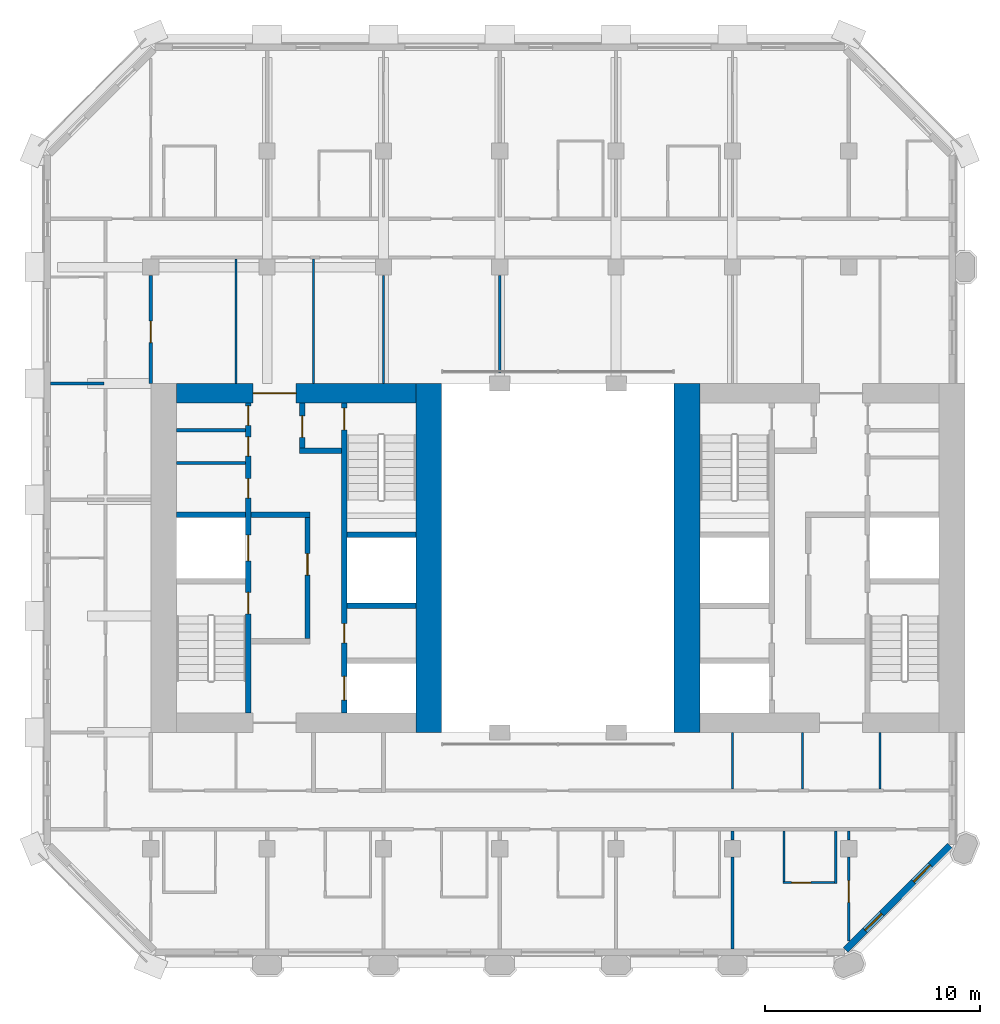
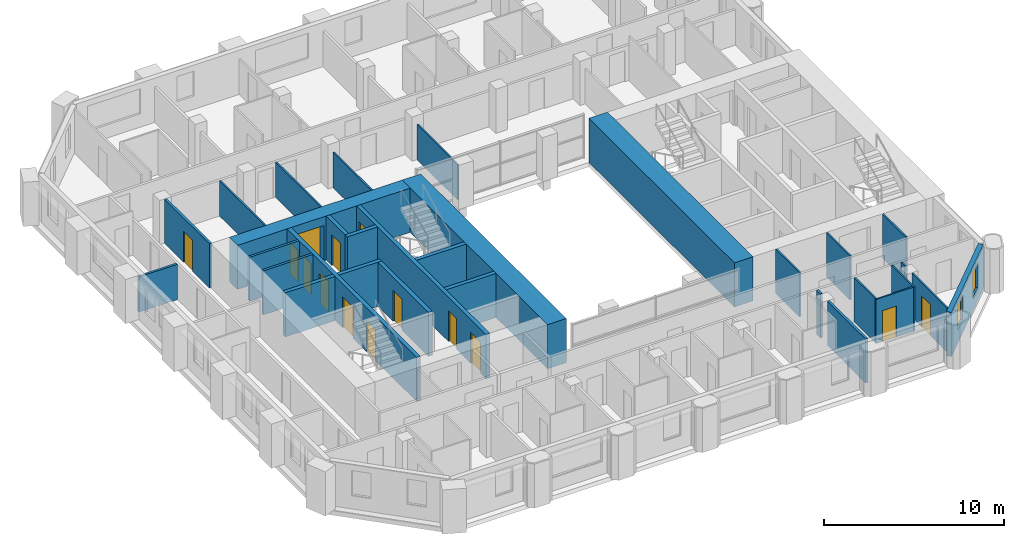
# One storey, part 8 of 13: 31 walls, 14 doors, 2 windows, 16 openings.
"""IFC4 building model written with IfcOpenShell, lengths in metres."""

from ifc_helpers import new_model, si_unit, direction, frame, frame_2d, origin, place, context, subcontext, project, spatial, rectangle, extrude, material, layer, layer_set, type_object, element, fill, save


model = new_model("IFC4")

# Units and contexts
model_context = context("Model", 3, precision=1e-05, world=origin(), true_north=direction((0.0, 1.0)))
body_context = subcontext(model_context, "Body", "Model", "MODEL_VIEW")
ifc_project = project(units=[si_unit("LENGTHUNIT", "METRE"), si_unit("AREAUNIT", "SQUARE_METRE"), si_unit("VOLUMEUNIT", "CUBIC_METRE"), si_unit("PLANEANGLEUNIT", "RADIAN"), si_unit("MASSUNIT", "GRAM", prefix="KILO")], contexts=[model_context])

# Site, building, storey
site_placement = place(None, origin())
site = spatial("IfcSite", under=ifc_project, at=site_placement, CompositionType="ELEMENT")
building_placement = place(site_placement, origin())
building = spatial("IfcBuilding", under=site, at=building_placement, Name="Tabaq Tower and Sports Hall", CompositionType="ELEMENT")
storey_placement = place(building_placement, frame((0.0, 0.0, 210.39990234375)))
storey = spatial("IfcBuildingStorey", under=building, at=storey_placement, Name="L52", CompositionType="ELEMENT", Elevation=210.39990234375)

# Walls
ifc_material_1 = material(Name="Blockwork", Category="masonry")
ifc_layer_1 = layer(ifc_material_1, 0.14990234375)
ifc_layer_set_1 = layer_set([ifc_layer_1], Name="Core room partition 150 Blockwork")
wall_type_1 = type_object("IfcWallType", Name="Core room partition 150 Blockwork", PredefinedType="PARTITIONING", material=ifc_layer_set_1)
for number, where, z_axis, x_axis, name in (
    (1, (6.60009765625, 28.708984375, 0.0), (0.0, 0.0, 1.0), (1.0, 0.0, 0.0), "Core room partition W L52"),
    (2, (6.60009765625, 30.23193359375, 0.0), (0.0, 0.0, 1.0), (1.0, 0.0, 0.0), "Core room partition W L52"),
):
    element("IfcWall", number, at=place(storey_placement, frame(where, z_axis=z_axis, x_axis=x_axis)), inside=storey, type_object=wall_type_1, Name=name, PredefinedType="PARTITIONING", context=body_context, shape_type="SweptSolid", body=[
        extrude(rectangle(XDim=3.199951171875, YDim=0.14990234375, at=frame_2d((1.60009765625, 0.0))), origin(), (0.0, 0.0, 1.0), 3.0),
    ])
ifc_material_2 = material(Name="Concrete C50/60", Category="concrete")
ifc_layer_2 = layer(ifc_material_2, 1.199951171875)
ifc_layer_set_2 = layer_set([ifc_layer_2], Name="Core wall 1200 Concrete C50/60")
wall_type_2 = type_object("IfcWallType", Name="Core wall 1200 Concrete C50/60", PredefinedType="SOLIDWALL", material=ifc_layer_set_2)
for number, where, z_axis, x_axis, name in (
    (3, (18.300048828125, 32.39990234375, 0.0), (0.0, 0.0, 1.0), (0.0, -1.0, 0.0), "Core wall W L52"),
    (4, (30.300048828125, 16.199951171875, 0.0), (0.0, 0.0, 1.0), (0.0, 1.0, 0.0), "Core wall E L52"),
):
    element("IfcWall", number, at=place(storey_placement, frame(where, z_axis=z_axis, x_axis=x_axis)), inside=storey, type_object=wall_type_2, Name=name, PredefinedType="SOLIDWALL", context=body_context, shape_type="SweptSolid", body=[
        extrude(rectangle(XDim=16.199951171875, YDim=1.199951171875, at=frame_2d((8.10009765625, 0.0))), origin(), (0.0, 0.0, 1.0), 3.0),
    ])

# Wall, opening, door
ifc_material_3 = material(Name="Concrete C50/60", Category="concrete")
ifc_layer_3 = layer(ifc_material_3, 0.89990234375)
ifc_layer_set_3 = layer_set([ifc_layer_3], Name="Core wall 900 Concrete C50/60")
wall_type_3 = type_object("IfcWallType", Name="Core wall 900 Concrete C50/60", PredefinedType="SOLIDWALL", material=ifc_layer_set_3)
wall_1_placement = place(storey_placement, frame((6.60009765625, 31.949951171875, 0.0), z_axis=(0.0, 0.0, 1.0), x_axis=(1.0, 0.0, 0.0)))
wall_1 = element("IfcWall", 5, at=wall_1_placement, inside=storey, type_object=wall_type_3, Name="Core wall W L52", PredefinedType="SOLIDWALL", context=body_context, shape_type="SweptSolid", body=[
    extrude(rectangle(XDim=11.099853515625, YDim=0.89990234375, at=frame_2d((5.5498046875, 0.0))), origin(), (0.0, 0.0, 1.0), 3.0),
])
opening_1_placement = place(wall_1_placement, frame((3.550048828125, 0.0, 0.0)))
opening_1 = element("IfcOpeningElement", 6, at=opening_1_placement, cuts=wall_1, Name="Opening PD-WL52-02", PredefinedType="OPENING", context=body_context, shape_type="SweptSolid", body=[
    extrude(rectangle(XDim=2.0, YDim=2.39990234375, at=frame_2d((1.0, 1.199951171875))), frame((0.0, 0.449951171875, 0.0), z_axis=(0.0, -1.0, 0.0), x_axis=(1.0, 0.0, 0.0)), (0.0, 0.0, 1.0), 0.89990234375),
])
ifc_material_4 = material(Name="Steel fire door", Category="steel")
door_type_1 = type_object("IfcDoorType", Name="Core entrance door 2000", OperationType="DOUBLE_DOOR_SINGLE_SWING", PredefinedType="DOOR", material=ifc_material_4)
door_1_placement = place(opening_1_placement, origin())
door_1 = element("IfcDoor", 7, at=door_1_placement, inside=storey, type_object=door_type_1, Name="Core entrance north W L52", OperationType="DOUBLE_DOOR_SINGLE_SWING", OverallHeight=2.39990234375, OverallWidth=2.0, PredefinedType="DOOR", context=body_context, shape_type="SweptSolid", body=[
    extrude(rectangle(XDim=2.0, YDim=2.39990234375, at=frame_2d((1.0, 1.199951171875))), frame((0.0, 0.02490234375, 0.0), z_axis=(0.0, -1.0, 0.0), x_axis=(1.0, 0.0, 0.0)), (0.0, 0.0, 1.0), 0.050048828125),
])
fill(opening_1, door_1)

# Walls
ifc_material_5 = material(Name="Gypsum board on steel studs", Category="steel")
ifc_layer_4 = layer(ifc_material_5, 0.10009765625)
ifc_layer_set_4 = layer_set([ifc_layer_4], Name="Partition 100 Gypsum board")
wall_type_4 = type_object("IfcWallType", Name="Partition 100 Gypsum board", PredefinedType="PARTITIONING", material=ifc_layer_set_4)
wall_2_placement = place(storey_placement, frame((21.60009765625, 37.405029296875, 0.0), z_axis=(0.0, 0.0, 1.0), x_axis=(0.0, -1.0, 0.0)))
element("IfcWall", 8, at=wall_2_placement, inside=storey, type_object=wall_type_4, Name="Partition wall L52", PredefinedType="PARTITIONING", context=body_context, shape_type="SweptSolid", body=[
    extrude(rectangle(XDim=4.510009765625, YDim=0.10009765625, at=frame_2d((2.2548828125, 0.0))), origin(), (0.0, 0.0, 1.0), 2.400146484375),
])
wall_3_placement = place(storey_placement, frame((16.199951171875, 37.405029296875, 0.0), z_axis=(0.0, 0.0, 1.0), x_axis=(0.0, -1.0, 0.0)))
element("IfcWall", 9, at=wall_3_placement, inside=storey, type_object=wall_type_4, Name="Partition wall L52", PredefinedType="PARTITIONING", context=body_context, shape_type="SweptSolid", body=[
    extrude(rectangle(XDim=5.005126953125, YDim=0.10009765625, at=frame_2d((2.50244140625, 0.0))), origin(), (0.0, 0.0, 1.0), 2.400146484375),
])
for number, where, z_axis, x_axis, name in (
    (10, (12.949951171875, 32.39990234375, 0.0), (0.0, 0.0, 1.0), (0.0, 1.0, 0.0), "Partition wall L52"),
    (11, (9.35009765625, 38.175048828125, 0.0), (0.0, 0.0, 1.0), (0.0, -1.0, 0.0), "Partition wall L52"),
):
    element("IfcWall", number, at=place(storey_placement, frame(where, z_axis=z_axis, x_axis=x_axis)), inside=storey, type_object=wall_type_4, Name=name, PredefinedType="PARTITIONING", context=body_context, shape_type="SweptSolid", body=[
        extrude(rectangle(XDim=5.775146484375, YDim=0.10009765625, at=frame_2d((2.8876953125, 0.0))), origin(), (0.0, 0.0, 1.0), 2.400146484375),
    ])

# Wall, opening, door
wall_4_placement = place(storey_placement, frame((37.800048828125, 6.51220703125, 0.0), z_axis=(0.0, 0.0, 1.0), x_axis=(0.0, 1.0, 0.0)))
wall_4 = element("IfcWall", 12, at=wall_4_placement, inside=storey, type_object=wall_type_4, Name="Partition wall L52", PredefinedType="PARTITIONING", context=body_context, shape_type="SweptSolid", body=[
    extrude(rectangle(XDim=3.892822265625, YDim=0.10009765625, at=frame_2d((1.9462890625, 0.0))), origin(), (0.0, 0.0, 1.0), 3.0),
])
opening_2_placement = place(wall_4_placement, frame((1.80029296875, 0.0, 0.0)))
opening_2 = element("IfcOpeningElement", 13, at=opening_2_placement, cuts=wall_4, Name="Opening L52-038", PredefinedType="OPENING", context=body_context, shape_type="SweptSolid", body=[
    extrude(rectangle(XDim=1.0, YDim=2.10009765625, at=frame_2d((0.5, 1.050048828125))), frame((0.0, 0.050048828125, 0.0), z_axis=(0.0, -1.0, 0.0), x_axis=(1.0, 0.0, 0.0)), (0.0, 0.0, 1.0), 0.10009765625),
])
ifc_material_6 = material(Name="Timber leaf in steel frame", Category="steel")
door_type_2 = type_object("IfcDoorType", Name="Internal door 1000 left hand", OperationType="SINGLE_SWING_LEFT", PredefinedType="DOOR", material=ifc_material_6)
door_2_placement = place(opening_2_placement, origin())
door_2 = element("IfcDoor", 14, at=door_2_placement, inside=storey, type_object=door_type_2, Name="Internal door L52-038", OperationType="SINGLE_SWING_LEFT", OverallHeight=2.10009765625, OverallWidth=1.0, PredefinedType="DOOR", context=body_context, shape_type="SweptSolid", body=[
    extrude(rectangle(XDim=1.0, YDim=2.10009765625, at=frame_2d((0.5, 1.050048828125))), frame((0.0, 0.02490234375, 0.0), z_axis=(0.0, -1.0, 0.0), x_axis=(1.0, 0.0, 0.0)), (0.0, 0.0, 1.0), 0.050048828125),
])
fill(opening_2, door_2)

# Walls
wall_5_placement = place(storey_placement, frame((37.800048828125, 11.195068359375, 0.0), z_axis=(0.0, 0.0, 1.0), x_axis=(0.0, 1.0, 0.0)))
element("IfcWall", 15, at=wall_5_placement, inside=storey, type_object=wall_type_4, Name="Partition wall L52", PredefinedType="PARTITIONING", context=body_context, shape_type="SweptSolid", body=[
    extrude(rectangle(XDim=0.429931640625, YDim=0.10009765625, at=frame_2d((0.21484375, 0.0))), origin(), (0.0, 0.0, 1.0), 3.0),
])
wall_6_placement = place(storey_placement, frame((37.199951171875, 11.625, 0.0), z_axis=(0.0, 0.0, 1.0), x_axis=(0.0, -1.0, 0.0)))
element("IfcWall", 16, at=wall_6_placement, inside=storey, type_object=wall_type_4, Name="Partition wall L52", PredefinedType="PARTITIONING", context=body_context, shape_type="SweptSolid", body=[
    extrude(rectangle(XDim=2.449951171875, YDim=0.10009765625, at=frame_2d((1.22509765625, 0.0))), origin(), (0.0, 0.0, 1.0), 3.0),
])

# Wall, opening, door
wall_7_placement = place(storey_placement, frame((37.14990234375, 9.22509765625, 0.0), z_axis=(0.0, 0.0, 1.0), x_axis=(-1.0, 0.0, 0.0)))
wall_7 = element("IfcWall", 17, at=wall_7_placement, inside=storey, type_object=wall_type_4, Name="Partition wall L52", PredefinedType="PARTITIONING", context=body_context, shape_type="SweptSolid", body=[
    extrude(rectangle(XDim=2.39990234375, YDim=0.10009765625, at=frame_2d((1.199951171875, 0.0))), origin(), (0.0, 0.0, 1.0), 3.0),
])
opening_3_placement = place(wall_7_placement, frame((1.10009765625, 0.0, 0.0)))
opening_3 = element("IfcOpeningElement", 18, at=opening_3_placement, cuts=wall_7, Name="Opening L52-015", PredefinedType="OPENING", context=body_context, shape_type="SweptSolid", body=[
    extrude(rectangle(XDim=0.89990234375, YDim=2.10009765625, at=frame_2d((0.449951171875, 1.050048828125))), frame((0.0, 0.050048828125, 0.0), z_axis=(0.0, -1.0, 0.0), x_axis=(1.0, 0.0, 0.0)), (0.0, 0.0, 1.0), 0.10009765625),
])
ifc_material_7 = material(Name="Timber leaf in steel frame", Category="steel")
door_type_3 = type_object("IfcDoorType", Name="Internal door 900 left hand", OperationType="SINGLE_SWING_LEFT", PredefinedType="DOOR", material=ifc_material_7)
door_3_placement = place(opening_3_placement, origin())
door_3 = element("IfcDoor", 19, at=door_3_placement, inside=storey, type_object=door_type_3, Name="Internal door L52-015", OperationType="SINGLE_SWING_LEFT", OverallHeight=2.10009765625, OverallWidth=0.89990234375, PredefinedType="DOOR", context=body_context, shape_type="SweptSolid", body=[
    extrude(rectangle(XDim=0.89990234375, YDim=2.10009765625, at=frame_2d((0.449951171875, 1.050048828125))), frame((0.0, 0.02490234375, 0.0), z_axis=(0.0, -1.0, 0.0), x_axis=(1.0, 0.0, 0.0)), (0.0, 0.0, 1.0), 0.050048828125),
])
fill(opening_3, door_3)

# Walls
wall_8_placement = place(storey_placement, frame((34.800048828125, 9.27490234375, 0.0), z_axis=(0.0, 0.0, 1.0), x_axis=(0.0, 1.0, 0.0)))
element("IfcWall", 20, at=wall_8_placement, inside=storey, type_object=wall_type_4, Name="Partition wall L52", PredefinedType="PARTITIONING", context=body_context, shape_type="SweptSolid", body=[
    extrude(rectangle(XDim=2.35009765625, YDim=0.10009765625, at=frame_2d((1.175048828125, 0.0))), origin(), (0.0, 0.0, 1.0), 3.0),
])
for number, where, z_axis, x_axis, name in (
    (21, (32.39990234375, 13.574951171875, 0.0), (0.0, 0.0, 1.0), (0.0, 1.0, 0.0), "Partition wall L52"),
    (22, (39.25, 13.574951171875, 0.0), (0.0, 0.0, 1.0), (0.0, 1.0, 0.0), "Partition wall L52"),
    (23, (35.64990234375, 16.199951171875, 0.0), (0.0, 0.0, 1.0), (0.0, -1.0, 0.0), "Partition wall L52"),
):
    element("IfcWall", number, at=place(storey_placement, frame(where, z_axis=z_axis, x_axis=x_axis)), inside=storey, type_object=wall_type_4, Name=name, PredefinedType="PARTITIONING", context=body_context, shape_type="SweptSolid", body=[
        extrude(rectangle(XDim=2.625, YDim=0.10009765625, at=frame_2d((1.3125, 0.0))), origin(), (0.0, 0.0, 1.0), 3.0),
    ])
ifc_material_8 = material(Name="Blockwork", Category="masonry")
ifc_layer_5 = layer(ifc_material_8, 0.14990234375)
ifc_layer_set_5 = layer_set([ifc_layer_5], Name="Separating wall 150 Blockwork")
wall_type_5 = type_object("IfcWallType", Name="Separating wall 150 Blockwork", PredefinedType="PARTITIONING", material=ifc_layer_set_5)
wall_9_placement = place(storey_placement, frame((0.7509765625, 32.39990234375, 0.0), z_axis=(0.0, 0.0, 1.0), x_axis=(1.0, 0.0, 0.0)))
element("IfcWall", 24, at=wall_9_placement, inside=storey, type_object=wall_type_5, Name="Separating wall L52", PredefinedType="PARTITIONING", context=body_context, shape_type="SweptSolid", body=[
    extrude(rectangle(XDim=2.47412109375, YDim=0.14990234375, at=frame_2d((1.237060546875, 0.0))), origin(), (0.0, 0.0, 1.0), 2.400146484375),
])

# Wall, opening, door
wall_10_placement = place(storey_placement, frame((5.39990234375, 32.39990234375, 0.0), z_axis=(0.0, 0.0, 1.0), x_axis=(0.0, 1.0, 0.0)))
wall_10 = element("IfcWall", 25, at=wall_10_placement, inside=storey, type_object=wall_type_5, Name="Separating wall L52", PredefinedType="PARTITIONING", context=body_context, shape_type="SweptSolid", body=[
    extrude(rectangle(XDim=5.005126953125, YDim=0.14990234375, at=frame_2d((2.50244140625, 0.0))), origin(), (0.0, 0.0, 1.0), 3.0),
])
opening_4_placement = place(wall_10_placement, frame((1.89404296875, 0.0, 0.0)))
opening_4 = element("IfcOpeningElement", 26, at=opening_4_placement, cuts=wall_10, Name="Opening L52-012", PredefinedType="OPENING", context=body_context, shape_type="SweptSolid", body=[
    extrude(rectangle(XDim=1.0, YDim=2.10009765625, at=frame_2d((0.5, 1.050048828125))), frame((0.0, 0.074951171875, 0.0), z_axis=(0.0, -1.0, 0.0), x_axis=(1.0, 0.0, 0.0)), (0.0, 0.0, 1.0), 0.14990234375),
])
ifc_material_9 = material(Name="Timber leaf in steel frame", Category="steel")
door_type_4 = type_object("IfcDoorType", Name="Internal door 1000 right hand", OperationType="SINGLE_SWING_RIGHT", PredefinedType="DOOR", material=ifc_material_9)
door_4_placement = place(opening_4_placement, origin())
door_4 = element("IfcDoor", 27, at=door_4_placement, inside=storey, type_object=door_type_4, Name="Internal door L52-012", OperationType="SINGLE_SWING_RIGHT", OverallHeight=2.10009765625, OverallWidth=1.0, PredefinedType="DOOR", context=body_context, shape_type="SweptSolid", body=[
    extrude(rectangle(XDim=1.0, YDim=2.10009765625, at=frame_2d((0.5, 1.050048828125))), frame((0.0, 0.02490234375, 0.0), z_axis=(0.0, -1.0, 0.0), x_axis=(1.0, 0.0, 0.0)), (0.0, 0.0, 1.0), 0.050048828125),
])
fill(opening_4, door_4)

# Walls
wall_11_placement = place(storey_placement, frame((32.39990234375, 11.625, 0.0), z_axis=(0.0, 0.0, 1.0), x_axis=(0.0, -1.0, 0.0)))
element("IfcWall", 28, at=wall_11_placement, inside=storey, type_object=wall_type_5, Name="Separating wall L52", PredefinedType="PARTITIONING", context=body_context, shape_type="SweptSolid", body=[
    extrude(rectangle(XDim=0.429931640625, YDim=0.14990234375, at=frame_2d((0.21484375, 0.0))), origin(), (0.0, 0.0, 1.0), 3.0),
])
wall_12_placement = place(storey_placement, frame((32.39990234375, 10.405029296875, 0.0), z_axis=(0.0, 0.0, 1.0), x_axis=(0.0, -1.0, 0.0)))
element("IfcWall", 29, at=wall_12_placement, inside=storey, type_object=wall_type_5, Name="Separating wall L52", PredefinedType="PARTITIONING", context=body_context, shape_type="SweptSolid", body=[
    extrude(rectangle(XDim=4.254150390625, YDim=0.14990234375, at=frame_2d((2.126953125, 0.0))), origin(), (0.0, 0.0, 1.0), 3.0),
])

# Wall, openings, doors
ifc_material_10 = material(Name="Concrete C40/50", Category="concrete")
ifc_layer_6 = layer(ifc_material_10, 0.25)
ifc_layer_set_6 = layer_set([ifc_layer_6], Name="Shaft and stair wall 250 Concrete C40/50")
wall_type_6 = type_object("IfcWallType", Name="Shaft and stair wall 250 Concrete C40/50", PredefinedType="SOLIDWALL", material=ifc_layer_set_6)
wall_13_placement = place(storey_placement, frame((9.925048828125, 17.10009765625, 0.0), z_axis=(0.0, 0.0, 1.0), x_axis=(0.0, 1.0, 0.0)))
wall_13 = element("IfcWall", 30, at=wall_13_placement, inside=storey, type_object=wall_type_6, Name="Shaft wall W L52", PredefinedType="SOLIDWALL", context=body_context, shape_type="SweptSolid", body=[
    extrude(rectangle(XDim=14.39990234375, YDim=0.25, at=frame_2d((7.199951171875, 0.0))), origin(), (0.0, 0.0, 1.0), 3.0),
])
opening_5_placement = place(wall_13_placement, frame((4.60009765625, 0.0, 0.0)))
opening_5 = element("IfcOpeningElement", 31, at=opening_5_placement, cuts=wall_13, Name="Opening SD-WL52-03", PredefinedType="OPENING", context=body_context, shape_type="SweptSolid", body=[
    extrude(rectangle(XDim=1.0, YDim=2.10009765625, at=frame_2d((0.5, 1.050048828125))), frame((0.0, 0.125, 0.0), z_axis=(0.0, -1.0, 0.0), x_axis=(1.0, 0.0, 0.0)), (0.0, 0.0, 1.0), 0.25),
])
opening_6_placement = place(wall_13_placement, frame((7.0625, 0.0, 0.0)))
opening_6 = element("IfcOpeningElement", 32, at=opening_6_placement, cuts=wall_13, Name="Opening LD-FF1-L52", PredefinedType="OPENING", context=body_context, shape_type="SweptSolid", body=[
    extrude(rectangle(XDim=1.199951171875, YDim=2.10009765625, at=frame_2d((0.60009765625, 1.050048828125))), frame((0.0, 0.125, 0.0), z_axis=(0.0, -1.0, 0.0), x_axis=(1.0, 0.0, 0.0)), (0.0, 0.0, 1.0), 0.25),
])
opening_7_placement = place(wall_13_placement, frame((9.9794921875, 0.0, 0.0)))
opening_7 = element("IfcOpeningElement", 33, at=opening_7_placement, cuts=wall_13, Name="Opening RD-WL52-09", PredefinedType="OPENING", context=body_context, shape_type="SweptSolid", body=[
    extrude(rectangle(XDim=0.89990234375, YDim=2.10009765625, at=frame_2d((0.449951171875, 1.050048828125))), frame((0.0, 0.125, 0.0), z_axis=(0.0, -1.0, 0.0), x_axis=(1.0, 0.0, 0.0)), (0.0, 0.0, 1.0), 0.25),
])
opening_8_placement = place(wall_13_placement, frame((11.92041015625, 0.0, 0.0)))
opening_8 = element("IfcOpeningElement", 34, at=opening_8_placement, cuts=wall_13, Name="Opening RD-WL52-10", PredefinedType="OPENING", context=body_context, shape_type="SweptSolid", body=[
    extrude(rectangle(XDim=0.89990234375, YDim=2.10009765625, at=frame_2d((0.449951171875, 1.050048828125))), frame((0.0, 0.125, 0.0), z_axis=(0.0, -1.0, 0.0), x_axis=(1.0, 0.0, 0.0)), (0.0, 0.0, 1.0), 0.25),
])
opening_9_placement = place(wall_13_placement, frame((13.353515625, 0.0, 0.0)))
opening_9 = element("IfcOpeningElement", 35, at=opening_9_placement, cuts=wall_13, Name="Opening RD-WL52-11", PredefinedType="OPENING", context=body_context, shape_type="SweptSolid", body=[
    extrude(rectangle(XDim=0.89990234375, YDim=2.10009765625, at=frame_2d((0.449951171875, 1.050048828125))), frame((0.0, 0.125, 0.0), z_axis=(0.0, -1.0, 0.0), x_axis=(1.0, 0.0, 0.0)), (0.0, 0.0, 1.0), 0.25),
])
ifc_material_11 = material(Name="Steel fire door", Category="steel")
door_type_5 = type_object("IfcDoorType", Name="Core room door 900", OperationType="SINGLE_SWING_LEFT", PredefinedType="DOOR", material=ifc_material_11)
door_5_placement = place(opening_7_placement, origin())
door_5 = element("IfcDoor", 36, at=door_5_placement, inside=storey, type_object=door_type_5, Name="Door Unisex WC W L52", OperationType="SINGLE_SWING_LEFT", OverallHeight=2.10009765625, OverallWidth=0.89990234375, PredefinedType="DOOR", context=body_context, shape_type="SweptSolid", body=[
    extrude(rectangle(XDim=0.89990234375, YDim=2.10009765625, at=frame_2d((0.449951171875, 1.050048828125))), frame((0.0, 0.02490234375, 0.0), z_axis=(0.0, -1.0, 0.0), x_axis=(1.0, 0.0, 0.0)), (0.0, 0.0, 1.0), 0.050048828125),
])
fill(opening_7, door_5)
door_6_placement = place(opening_8_placement, origin())
door_6 = element("IfcDoor", 37, at=door_6_placement, inside=storey, type_object=door_type_5, Name="Door Accessible WC W L52", OperationType="SINGLE_SWING_LEFT", OverallHeight=2.10009765625, OverallWidth=0.89990234375, PredefinedType="DOOR", context=body_context, shape_type="SweptSolid", body=[
    extrude(rectangle(XDim=0.89990234375, YDim=2.10009765625, at=frame_2d((0.449951171875, 1.050048828125))), frame((0.0, 0.02490234375, 0.0), z_axis=(0.0, -1.0, 0.0), x_axis=(1.0, 0.0, 0.0)), (0.0, 0.0, 1.0), 0.050048828125),
])
fill(opening_8, door_6)
door_7_placement = place(opening_9_placement, origin())
door_7 = element("IfcDoor", 38, at=door_7_placement, inside=storey, type_object=door_type_5, Name="Door Electrical Riser Room W L52", OperationType="SINGLE_SWING_LEFT", OverallHeight=2.10009765625, OverallWidth=0.89990234375, PredefinedType="DOOR", context=body_context, shape_type="SweptSolid", body=[
    extrude(rectangle(XDim=0.89990234375, YDim=2.10009765625, at=frame_2d((0.449951171875, 1.050048828125))), frame((0.0, 0.02490234375, 0.0), z_axis=(0.0, -1.0, 0.0), x_axis=(1.0, 0.0, 0.0)), (0.0, 0.0, 1.0), 0.050048828125),
])
fill(opening_9, door_7)
ifc_material_12 = material(Name="Stainless steel", Category="steel")
door_type_6 = type_object("IfcDoorType", Name="Lift landing door 1200", OperationType="DOUBLE_DOOR_SLIDING", PredefinedType="DOOR", material=ifc_material_12)
door_8_placement = place(opening_6_placement, origin())
door_8 = element("IfcDoor", 39, at=door_8_placement, inside=storey, type_object=door_type_6, Name="Lift landing door FF1 W L52", OperationType="DOUBLE_DOOR_SLIDING", OverallHeight=2.10009765625, OverallWidth=1.199951171875, PredefinedType="DOOR", context=body_context, shape_type="SweptSolid", body=[
    extrude(rectangle(XDim=1.199951171875, YDim=2.10009765625, at=frame_2d((0.60009765625, 1.050048828125))), frame((0.0, 0.02490234375, 0.0), z_axis=(0.0, -1.0, 0.0), x_axis=(1.0, 0.0, 0.0)), (0.0, 0.0, 1.0), 0.050048828125),
])
fill(opening_6, door_8)
ifc_material_13 = material(Name="Steel fire door", Category="steel")
door_type_7 = type_object("IfcDoorType", Name="Stair door 1000", OperationType="SINGLE_SWING_LEFT", PredefinedType="DOOR", material=ifc_material_13)
door_9_placement = place(opening_5_placement, origin())
door_9 = element("IfcDoor", 40, at=door_9_placement, inside=storey, type_object=door_type_7, Name="Stair door ST1 W L52", OperationType="SINGLE_SWING_LEFT", OverallHeight=2.10009765625, OverallWidth=1.0, PredefinedType="DOOR", context=body_context, shape_type="SweptSolid", body=[
    extrude(rectangle(XDim=1.0, YDim=2.10009765625, at=frame_2d((0.5, 1.050048828125))), frame((0.0, 0.02490234375, 0.0), z_axis=(0.0, -1.0, 0.0), x_axis=(1.0, 0.0, 0.0)), (0.0, 0.0, 1.0), 0.050048828125),
])
fill(opening_5, door_9)

wall_14_placement = place(storey_placement, frame((14.375, 17.10009765625, 0.0), z_axis=(0.0, 0.0, 1.0), x_axis=(0.0, 1.0, 0.0)))
wall_14 = element("IfcWall", 41, at=wall_14_placement, inside=storey, type_object=wall_type_6, Name="Shaft wall W L52", PredefinedType="SOLIDWALL", context=body_context, shape_type="SweptSolid", body=[
    extrude(rectangle(XDim=14.39990234375, YDim=0.25, at=frame_2d((7.199951171875, 0.0))), origin(), (0.0, 0.0, 1.0), 3.0),
])
opening_10_placement = place(wall_14_placement, frame((13.14990234375, 0.0, 0.0)))
opening_10 = element("IfcOpeningElement", 42, at=opening_10_placement, cuts=wall_14, Name="Opening SD-WL52-05", PredefinedType="OPENING", context=body_context, shape_type="SweptSolid", body=[
    extrude(rectangle(XDim=1.0, YDim=2.10009765625, at=frame_2d((0.5, 1.050048828125))), frame((0.0, 0.125, 0.0), z_axis=(0.0, -1.0, 0.0), x_axis=(1.0, 0.0, 0.0)), (0.0, 0.0, 1.0), 0.25),
])
opening_11_placement = place(wall_14_placement, frame((0.60009765625, 0.0, 0.0)))
opening_11 = element("IfcOpeningElement", 43, at=opening_11_placement, cuts=wall_14, Name="Opening LD-MR1-L52", PredefinedType="OPENING", context=body_context, shape_type="SweptSolid", body=[
    extrude(rectangle(XDim=1.10009765625, YDim=2.10009765625, at=frame_2d((0.550048828125, 1.050048828125))), frame((0.0, 0.125, 0.0), z_axis=(0.0, -1.0, 0.0), x_axis=(1.0, 0.0, 0.0)), (0.0, 0.0, 1.0), 0.25),
])
opening_12_placement = place(wall_14_placement, frame((3.25, 0.0, 0.0)))
opening_12 = element("IfcOpeningElement", 44, at=opening_12_placement, cuts=wall_14, Name="Opening RD-WL52-12", PredefinedType="OPENING", context=body_context, shape_type="SweptSolid", body=[
    extrude(rectangle(XDim=0.89990234375, YDim=2.10009765625, at=frame_2d((0.449951171875, 1.050048828125))), frame((0.0, 0.125, 0.0), z_axis=(0.0, -1.0, 0.0), x_axis=(1.0, 0.0, 0.0)), (0.0, 0.0, 1.0), 0.25),
])
door_10_placement = place(opening_12_placement, origin())
door_10 = element("IfcDoor", 45, at=door_10_placement, inside=storey, type_object=door_type_5, Name="Door Cleaner's Store W L52", OperationType="SINGLE_SWING_LEFT", OverallHeight=2.10009765625, OverallWidth=0.89990234375, PredefinedType="DOOR", context=body_context, shape_type="SweptSolid", body=[
    extrude(rectangle(XDim=0.89990234375, YDim=2.10009765625, at=frame_2d((0.449951171875, 1.050048828125))), frame((0.0, 0.02490234375, 0.0), z_axis=(0.0, -1.0, 0.0), x_axis=(1.0, 0.0, 0.0)), (0.0, 0.0, 1.0), 0.050048828125),
])
fill(opening_12, door_10)
ifc_material_14 = material(Name="Stainless steel", Category="steel")
door_type_8 = type_object("IfcDoorType", Name="Lift landing door 1100", OperationType="DOUBLE_DOOR_SLIDING", PredefinedType="DOOR", material=ifc_material_14)
door_11_placement = place(opening_11_placement, origin())
door_11 = element("IfcDoor", 46, at=door_11_placement, inside=storey, type_object=door_type_8, Name="Lift landing door MR1 W L52", OperationType="DOUBLE_DOOR_SLIDING", OverallHeight=2.10009765625, OverallWidth=1.10009765625, PredefinedType="DOOR", context=body_context, shape_type="SweptSolid", body=[
    extrude(rectangle(XDim=1.10009765625, YDim=2.10009765625, at=frame_2d((0.550048828125, 1.050048828125))), frame((0.0, 0.02490234375, 0.0), z_axis=(0.0, -1.0, 0.0), x_axis=(1.0, 0.0, 0.0)), (0.0, 0.0, 1.0), 0.050048828125),
])
fill(opening_11, door_11)
door_12_placement = place(opening_10_placement, origin())
door_12 = element("IfcDoor", 47, at=door_12_placement, inside=storey, type_object=door_type_7, Name="Stair door ST2 W L52", OperationType="SINGLE_SWING_LEFT", OverallHeight=2.10009765625, OverallWidth=1.0, PredefinedType="DOOR", context=body_context, shape_type="SweptSolid", body=[
    extrude(rectangle(XDim=1.0, YDim=2.10009765625, at=frame_2d((0.5, 1.050048828125))), frame((0.0, 0.02490234375, 0.0), z_axis=(0.0, -1.0, 0.0), x_axis=(1.0, 0.0, 0.0)), (0.0, 0.0, 1.0), 0.050048828125),
])
fill(opening_10, door_12)

# Walls
for number, where, z_axis, x_axis, name in (
    (48, (14.5, 25.375, 0.0), (0.0, 0.0, 1.0), (1.0, 0.0, 0.0), "Stair enclosure wall W L52"),
    (49, (14.5, 22.074951171875, 0.0), (0.0, 0.0, 1.0), (1.0, 0.0, 0.0), "Shaft wall W L52"),
    (50, (6.60009765625, 26.300048828125, 0.0), (0.0, 0.0, 1.0), (1.0, 0.0, 0.0), "Shaft wall W L52"),
):
    element("IfcWall", number, at=place(storey_placement, frame(where, z_axis=z_axis, x_axis=x_axis)), inside=storey, type_object=wall_type_6, Name=name, PredefinedType="SOLIDWALL", context=body_context, shape_type="SweptSolid", body=[
        extrude(rectangle(XDim=3.199951171875, YDim=0.25, at=frame_2d((1.60009765625, 0.0))), origin(), (0.0, 0.0, 1.0), 3.0),
    ])
wall_15_placement = place(storey_placement, frame((10.050048828125, 26.300048828125, 0.0), z_axis=(0.0, 0.0, 1.0), x_axis=(1.0, 0.0, 0.0)))
element("IfcWall", 51, at=wall_15_placement, inside=storey, type_object=wall_type_6, Name="Fire-fighting lobby wall W L52", PredefinedType="SOLIDWALL", context=body_context, shape_type="SweptSolid", body=[
    extrude(rectangle(XDim=2.75, YDim=0.25, at=frame_2d((1.375, 0.0))), origin(), (0.0, 0.0, 1.0), 3.0),
])

# Wall, opening, door
wall_16_placement = place(storey_placement, frame((12.425048828125, 29.39990234375, 0.0), z_axis=(0.0, 0.0, 1.0), x_axis=(0.0, 1.0, 0.0)))
wall_16 = element("IfcWall", 52, at=wall_16_placement, inside=storey, type_object=wall_type_6, Name="Fire-fighting lobby wall W L52", PredefinedType="SOLIDWALL", context=body_context, shape_type="SweptSolid", body=[
    extrude(rectangle(XDim=2.10009765625, YDim=0.25, at=frame_2d((1.050048828125, 0.0))), origin(), (0.0, 0.0, 1.0), 3.0),
])
opening_13_placement = place(wall_16_placement, frame((0.5, 0.0, 0.0)))
opening_13 = element("IfcOpeningElement", 53, at=opening_13_placement, cuts=wall_16, Name="Opening FD-WL52-06", PredefinedType="OPENING", context=body_context, shape_type="SweptSolid", body=[
    extrude(rectangle(XDim=1.0, YDim=2.10009765625, at=frame_2d((0.5, 1.050048828125))), frame((0.0, 0.125, 0.0), z_axis=(0.0, -1.0, 0.0), x_axis=(1.0, 0.0, 0.0)), (0.0, 0.0, 1.0), 0.25),
])
ifc_material_15 = material(Name="Steel fire door", Category="steel")
door_type_9 = type_object("IfcDoorType", Name="Fire-fighting lobby door 1000", OperationType="SINGLE_SWING_LEFT", PredefinedType="DOOR", material=ifc_material_15)
door_13_placement = place(opening_13_placement, origin())
door_13 = element("IfcDoor", 54, at=door_13_placement, inside=storey, type_object=door_type_9, Name="Stair lobby door W L52", OperationType="SINGLE_SWING_LEFT", OverallHeight=2.10009765625, OverallWidth=1.0, PredefinedType="DOOR", context=body_context, shape_type="SweptSolid", body=[
    extrude(rectangle(XDim=1.0, YDim=2.10009765625, at=frame_2d((0.5, 1.050048828125))), frame((0.0, 0.02490234375, 0.0), z_axis=(0.0, -1.0, 0.0), x_axis=(1.0, 0.0, 0.0)), (0.0, 0.0, 1.0), 0.050048828125),
])
fill(opening_13, door_13)

# Wall
wall_17_placement = place(storey_placement, frame((12.300048828125, 29.27490234375, 0.0), z_axis=(0.0, 0.0, 1.0), x_axis=(1.0, 0.0, 0.0)))
element("IfcWall", 55, at=wall_17_placement, inside=storey, type_object=wall_type_6, Name="Fire-fighting lobby wall W L52", PredefinedType="SOLIDWALL", context=body_context, shape_type="SweptSolid", body=[
    extrude(rectangle(XDim=1.949951171875, YDim=0.25, at=frame_2d((0.97509765625, 0.0))), origin(), (0.0, 0.0, 1.0), 3.0),
])

# Wall, opening, door
wall_18_placement = place(storey_placement, frame((12.675048828125, 20.550048828125, 0.0), z_axis=(0.0, 0.0, 1.0), x_axis=(0.0, 1.0, 0.0)))
wall_18 = element("IfcWall", 56, at=wall_18_placement, inside=storey, type_object=wall_type_6, Name="Fire-fighting lobby wall W L52", PredefinedType="SOLIDWALL", context=body_context, shape_type="SweptSolid", body=[
    extrude(rectangle(XDim=5.625, YDim=0.25, at=frame_2d((2.8125, 0.0))), origin(), (0.0, 0.0, 1.0), 3.0),
])
opening_14_placement = place(wall_18_placement, frame((2.949951171875, 0.0, 0.0)))
opening_14 = element("IfcOpeningElement", 57, at=opening_14_placement, cuts=wall_18, Name="Opening FD-WL52-04", PredefinedType="OPENING", context=body_context, shape_type="SweptSolid", body=[
    extrude(rectangle(XDim=1.0, YDim=2.10009765625, at=frame_2d((0.5, 1.050048828125))), frame((0.0, 0.125, 0.0), z_axis=(0.0, -1.0, 0.0), x_axis=(1.0, 0.0, 0.0)), (0.0, 0.0, 1.0), 0.25),
])
door_14_placement = place(opening_14_placement, origin())
door_14 = element("IfcDoor", 58, at=door_14_placement, inside=storey, type_object=door_type_9, Name="Fire-fighting lobby door W L52", OperationType="SINGLE_SWING_LEFT", OverallHeight=2.10009765625, OverallWidth=1.0, PredefinedType="DOOR", context=body_context, shape_type="SweptSolid", body=[
    extrude(rectangle(XDim=1.0, YDim=2.10009765625, at=frame_2d((0.5, 1.050048828125))), frame((0.0, 0.02490234375, 0.0), z_axis=(0.0, -1.0, 0.0), x_axis=(1.0, 0.0, 0.0)), (0.0, 0.0, 1.0), 0.050048828125),
])
fill(opening_14, door_14)

# Wall, openings, windows
ifc_material_16 = material(Name="White precast concrete C60/75", Category="concrete")
ifc_layer_7 = layer(ifc_material_16, 0.300048828125)
ifc_layer_set_7 = layer_set([ifc_layer_7], Name="White precast concrete C60/75 external wall 300")
wall_type_7 = type_object("IfcWallType", Name="White precast concrete C60/75 external wall 300", PredefinedType="SOLIDWALL", material=ifc_layer_set_7)
wall_19_placement = place(storey_placement, frame((37.650390625, 6.098876953125, 0.0), z_axis=(0.0, 0.0, 1.0), x_axis=(0.707106781187, 0.707106781187, 0.0)))
wall_19 = element("IfcWall", 59, at=wall_19_placement, inside=storey, type_object=wall_type_7, Name="External Wall L52 SE", PredefinedType="SOLIDWALL", context=body_context, shape_type="SweptSolid", body=[
    extrude(rectangle(XDim=6.85986328125, YDim=0.300048828125, at=frame_2d((3.429931640625, 0.0))), origin(), (0.0, 0.0, 1.0), 3.0),
])
opening_15_placement = place(wall_19_placement, frame((1.27978515625, 0.0, 0.89990234375)))
opening_15 = element("IfcOpeningElement", 60, at=opening_15_placement, cuts=wall_19, Name="Opening W1B", PredefinedType="OPENING", context=body_context, shape_type="SweptSolid", body=[
    extrude(rectangle(XDim=1.10009765625, YDim=1.699951171875, at=frame_2d((0.550048828125, 0.85009765625))), frame((0.0, 0.16015625, 0.0), z_axis=(0.0, -1.0, 0.0), x_axis=(1.0, 0.0, 0.0)), (0.0, 0.0, 1.0), 0.320068359375),
])
opening_16_placement = place(wall_19_placement, frame((4.479736328125, 0.0, 0.89990234375)))
opening_16 = element("IfcOpeningElement", 61, at=opening_16_placement, cuts=wall_19, Name="Opening W1B", PredefinedType="OPENING", context=body_context, shape_type="SweptSolid", body=[
    extrude(rectangle(XDim=1.10009765625, YDim=1.699951171875, at=frame_2d((0.550048828125, 0.85009765625))), frame((0.0, 0.16015625, 0.0), z_axis=(0.0, -1.0, 0.0), x_axis=(1.0, 0.0, 0.0)), (0.0, 0.0, 1.0), 0.320068359375),
])
ifc_material_17 = material(Name="Aluminium framed clear glazing", Category="aluminium")
window_type = type_object("IfcWindowType", Name="Window W1B", PartitioningType="SINGLE_PANEL", PredefinedType="WINDOW", material=ifc_material_17)
window_1_placement = place(opening_15_placement, origin())
window_1 = element("IfcWindow", 62, at=window_1_placement, inside=storey, type_object=window_type, Name="Window W1B L52", OverallHeight=1.699951171875, OverallWidth=1.10009765625, PartitioningType="SINGLE_PANEL", PredefinedType="WINDOW", context=body_context, shape_type="SweptSolid", body=[
    extrude(rectangle(XDim=1.10009765625, YDim=1.699951171875, at=frame_2d((0.550048828125, 0.85009765625))), frame((0.0, 0.030029296875, 0.0), z_axis=(0.0, -1.0, 0.0), x_axis=(1.0, 0.0, 0.0)), (0.0, 0.0, 1.0), 0.06005859375),
])
fill(opening_15, window_1)
window_2_placement = place(opening_16_placement, origin())
window_2 = element("IfcWindow", 63, at=window_2_placement, inside=storey, type_object=window_type, Name="Window W1B L52", OverallHeight=1.699951171875, OverallWidth=1.10009765625, PartitioningType="SINGLE_PANEL", PredefinedType="WINDOW", context=body_context, shape_type="SweptSolid", body=[
    extrude(rectangle(XDim=1.10009765625, YDim=1.699951171875, at=frame_2d((0.550048828125, 0.85009765625))), frame((0.0, 0.030029296875, 0.0), z_axis=(0.0, -1.0, 0.0), x_axis=(1.0, 0.0, 0.0)), (0.0, 0.0, 1.0), 0.06005859375),
])
fill(opening_16, window_2)

save(model, "model.ifc")
